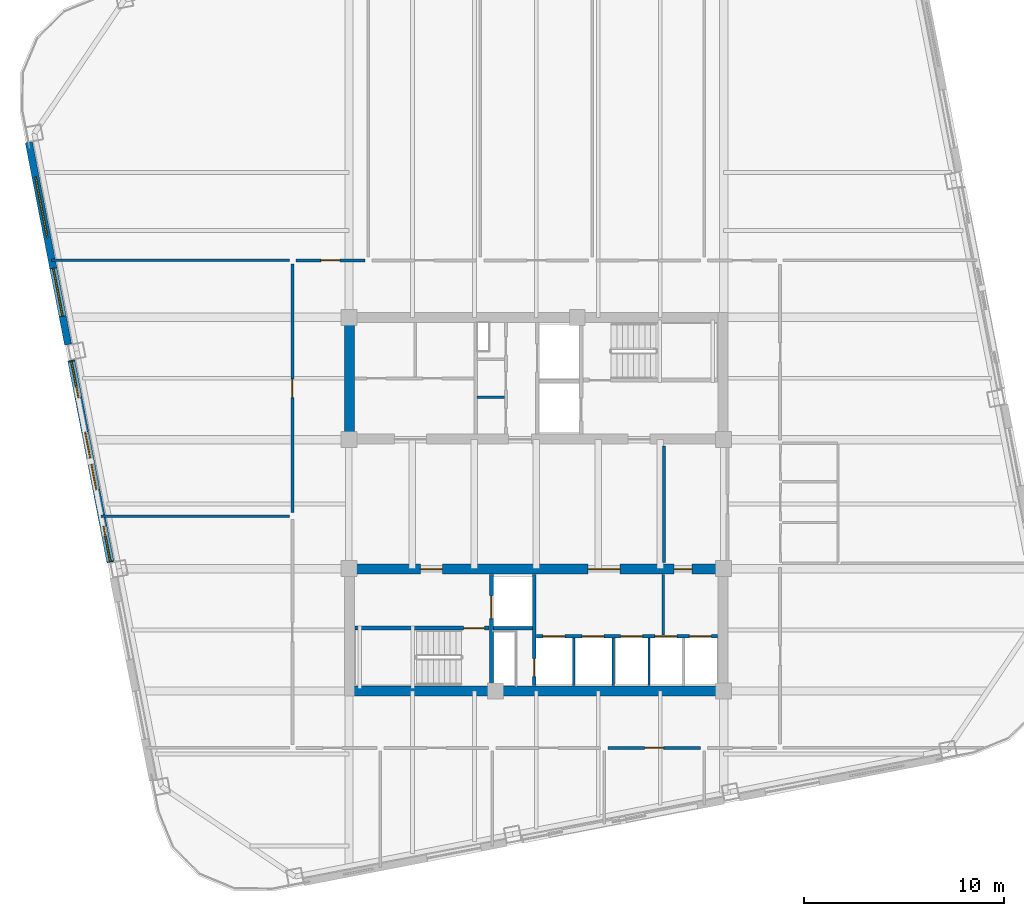
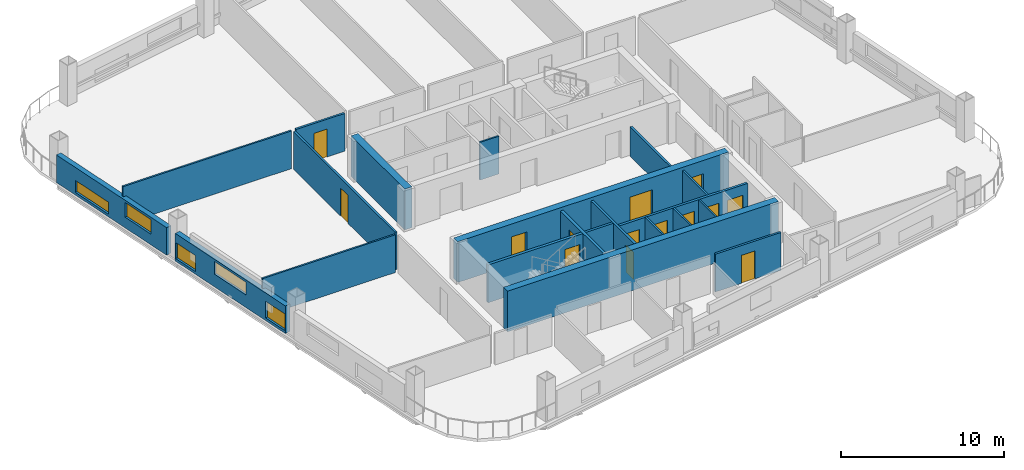
# One storey, part 3 of 9: 21 walls, 14 doors, 5 windows, 19 openings.
"""IFC4 building model written with IfcOpenShell, lengths in metres."""

from ifc_helpers import new_model, si_unit, direction, frame, frame_2d, origin, place, context, subcontext, project, spatial, rectangle, extrude, material, layer, layer_set, type_object, element, fill, save


model = new_model("IFC4")

# Units and contexts
model_context = context("Model", 3, precision=1e-05, world=origin(), true_north=direction((0.0, 1.0)))
body_context = subcontext(model_context, "Body", "Model", "MODEL_VIEW")
ifc_project = project(units=[si_unit("LENGTHUNIT", "METRE"), si_unit("AREAUNIT", "SQUARE_METRE"), si_unit("VOLUMEUNIT", "CUBIC_METRE"), si_unit("PLANEANGLEUNIT", "RADIAN"), si_unit("MASSUNIT", "GRAM", prefix="KILO")], contexts=[model_context])

# Site, building, storey
site_placement = place(None, origin())
site = spatial("IfcSite", under=ifc_project, at=site_placement, CompositionType="ELEMENT")
building_placement = place(site_placement, origin())
building = spatial("IfcBuilding", under=site, at=building_placement, Name="Qhalaya Broadcast Tower", CompositionType="ELEMENT")
storey_placement = place(building_placement, frame((0.0, 0.0, 128.050048828125)))
storey = spatial("IfcBuildingStorey", under=building, at=storey_placement, Name="L37", CompositionType="ELEMENT", Elevation=128.050048828125)

# Wall
ifc_material_1 = material(Name="Gypsum Acoustic Partition")
ifc_layer_1 = layer(ifc_material_1, 0.14990234375, Name="Gypsum Acoustic Partition")
ifc_layer_set_1 = layer_set([ifc_layer_1], Name="Gypsum Acoustic Partition")
wall_type_1 = type_object("IfcWallType", Name="Corridor & Tenancy Acoustic Partition 150", PredefinedType="PARTITIONING", material=ifc_layer_set_1)
wall_1_placement = place(storey_placement, frame((6.3798828125, -2.320068359375, 0.0), z_axis=(0.0, 0.0, 1.0), x_axis=(0.0, 1.0, 0.0)))
element("IfcWall", 1, at=wall_1_placement, inside=storey, type_object=wall_type_1, Name="L37 Partition Wall W-ICHW", PredefinedType="PARTITIONING", context=body_context, shape_type="SweptSolid", body=[
    extrude(rectangle(XDim=5.840087890625, YDim=0.14990234375, at=frame_2d((2.919921875, 0.0))), origin(), (0.0, 0.0, 1.0), 2.197998046875),
])

# Wall, opening, door
wall_2_placement = place(storey_placement, frame((-12.02001953125, 12.800048828125, 0.0), z_axis=(0.0, 0.0, 1.0), x_axis=(1.0, 0.0, 0.0)))
wall_2 = element("IfcWall", 2, at=wall_2_placement, inside=storey, type_object=wall_type_1, Name="L37 Partition Wall W-COR-01", PredefinedType="PARTITIONING", context=body_context, shape_type="SweptSolid", body=[
    extrude(rectangle(XDim=3.43994140625, YDim=0.14990234375, at=frame_2d((1.719970703125, 0.0))), origin(), (0.0, 0.0, 1.0), 2.829833984375),
])
opening_1_placement = place(wall_2_placement, frame((1.2451171875, 0.0, 0.0)))
opening_1 = element("IfcOpeningElement", 3, at=opening_1_placement, cuts=wall_2, Name="Opening D10", PredefinedType="OPENING", context=body_context, shape_type="SweptSolid", body=[
    extrude(rectangle(XDim=0.949951171875, YDim=2.10009765625, at=frame_2d((0.47509765625, 1.050048828125))), frame((0.0, 0.0869140625, 0.0), z_axis=(0.0, -1.0, 0.0), x_axis=(1.0, 0.0, 0.0)), (0.0, 0.0, 1.0), 0.173828125),
])
ifc_material_2 = material(Name="Timber Veneer Acoustic Door", Category="wood")
door_type_1 = type_object("IfcDoorType", Name="Cellular Office & Edit Booth Door D10", OperationType="NOTDEFINED", PredefinedType="DOOR", material=ifc_material_2)
door_1_placement = place(opening_1_placement, origin())
door_1 = element("IfcDoor", 4, at=door_1_placement, inside=storey, type_object=door_type_1, Name="L37 Door D-RM01", OperationType="SINGLE_SWING_LEFT", OverallHeight=2.10009765625, OverallWidth=0.949951171875, PredefinedType="DOOR", context=body_context, shape_type="SweptSolid", body=[
    extrude(rectangle(XDim=0.949951171875, YDim=2.10009765625, at=frame_2d((0.47509765625, 1.050048828125))), frame((0.0, 0.02490234375, 0.0), z_axis=(0.0, -1.0, 0.0), x_axis=(1.0, 0.0, 0.0)), (0.0, 0.0, 1.0), 0.050048828125),
])
fill(opening_1, door_1)

wall_3_placement = place(storey_placement, frame((3.580078125, -11.60009765625, 0.0), z_axis=(0.0, 0.0, 1.0), x_axis=(1.0, 0.0, 0.0)))
wall_3 = element("IfcWall", 5, at=wall_3_placement, inside=storey, type_object=wall_type_1, Name="L37 Partition Wall W-COR-09", PredefinedType="PARTITIONING", context=body_context, shape_type="SweptSolid", body=[
    extrude(rectangle(XDim=4.639892578125, YDim=0.14990234375, at=frame_2d((2.31982421875, 0.0))), origin(), (0.0, 0.0, 1.0), 2.829833984375),
])
opening_2_placement = place(wall_3_placement, frame((1.844970703125, 0.0, 0.0)))
opening_2 = element("IfcOpeningElement", 6, at=opening_2_placement, cuts=wall_3, Name="Opening D10", PredefinedType="OPENING", context=body_context, shape_type="SweptSolid", body=[
    extrude(rectangle(XDim=0.949951171875, YDim=2.10009765625, at=frame_2d((0.47509765625, 1.050048828125))), frame((0.0, 0.0869140625, 0.0), z_axis=(0.0, -1.0, 0.0), x_axis=(1.0, 0.0, 0.0)), (0.0, 0.0, 1.0), 0.173828125),
])
door_2_placement = place(opening_2_placement, origin())
door_2 = element("IfcDoor", 7, at=door_2_placement, inside=storey, type_object=door_type_1, Name="L37 Door D-RM09", OperationType="SINGLE_SWING_LEFT", OverallHeight=2.10009765625, OverallWidth=0.949951171875, PredefinedType="DOOR", context=body_context, shape_type="SweptSolid", body=[
    extrude(rectangle(XDim=0.949951171875, YDim=2.10009765625, at=frame_2d((0.47509765625, 1.050048828125))), frame((0.0, 0.02490234375, 0.0), z_axis=(0.0, -1.0, 0.0), x_axis=(1.0, 0.0, 0.0)), (0.0, 0.0, 1.0), 0.050048828125),
])
fill(opening_2, door_2)

wall_4_placement = place(storey_placement, frame((-12.199951171875, 0.179931640625, 0.0), z_axis=(0.0, 0.0, 1.0), x_axis=(0.0, 1.0, 0.0)))
wall_4 = element("IfcWall", 8, at=wall_4_placement, inside=storey, type_object=wall_type_1, Name="L37 Partition Wall W-COR-12", PredefinedType="PARTITIONING", context=body_context, shape_type="SweptSolid", body=[
    extrude(rectangle(XDim=12.440185546875, YDim=0.14990234375, at=frame_2d((6.22021484375, 0.0))), origin(), (0.0, 0.0, 1.0), 2.829833984375),
])
opening_3_placement = place(wall_4_placement, frame((5.7451171875, 0.0, 0.0)))
opening_3 = element("IfcOpeningElement", 9, at=opening_3_placement, cuts=wall_4, Name="Opening D10", PredefinedType="OPENING", context=body_context, shape_type="SweptSolid", body=[
    extrude(rectangle(XDim=0.949951171875, YDim=2.10009765625, at=frame_2d((0.47509765625, 1.050048828125))), frame((0.0, 0.0869140625, 0.0), z_axis=(0.0, -1.0, 0.0), x_axis=(1.0, 0.0, 0.0)), (0.0, 0.0, 1.0), 0.173828125),
])
door_3_placement = place(opening_3_placement, origin())
door_3 = element("IfcDoor", 10, at=door_3_placement, inside=storey, type_object=door_type_1, Name="L37 Door D-RM12", OperationType="SINGLE_SWING_RIGHT", OverallHeight=2.10009765625, OverallWidth=0.949951171875, PredefinedType="DOOR", context=body_context, shape_type="SweptSolid", body=[
    extrude(rectangle(XDim=0.949951171875, YDim=2.10009765625, at=frame_2d((0.47509765625, 1.050048828125))), frame((0.0, 0.02490234375, 0.0), z_axis=(0.0, -1.0, 0.0), x_axis=(1.0, 0.0, 0.0)), (0.0, 0.0, 1.0), 0.050048828125),
])
fill(opening_3, door_3)

# Wall, openings, windows
ifc_material_3 = material(Name="Precast Concrete C40/50", Category="concrete")
ifc_layer_2 = layer(ifc_material_3, 0.360107421875, Name="Precast Concrete C40/50")
ifc_layer_set_2 = layer_set([ifc_layer_2], Name="Precast Concrete C40/50")
wall_type_2 = type_object("IfcWallType", Name="Insulated Precast Terracotta Exterior Wall 360", PredefinedType="SOLIDWALL", material=ifc_layer_set_2)
wall_5_placement = place(storey_placement, frame((-21.31005859375, -2.30859375, 0.0), z_axis=(0.0, 0.0, 1.0), x_axis=(-0.190811924826, 0.981626614016, 0.0)))
wall_5 = element("IfcWall", 11, at=wall_5_placement, inside=storey, type_object=wall_type_2, Name="L37 Exoskeleton Diagrid Infill Wall W2", PredefinedType="SOLIDWALL", context=body_context, shape_type="SweptSolid", body=[
    extrude(rectangle(XDim=10.2998046875, YDim=0.360107421875, at=frame_2d((5.14990234375, 0.0))), origin(), (0.0, 0.0, 1.0), 2.06689453125),
])
opening_4_placement = place(wall_5_placement, frame((0.0380859375, 0.0, 0.199951171875)))
opening_4 = element("IfcOpeningElement", 12, at=opening_4_placement, cuts=wall_5, Name="Opening W11", PredefinedType="OPENING", context=body_context, shape_type="SweptSolid", body=[
    extrude(rectangle(XDim=1.800048828125, YDim=1.25, at=frame_2d((0.89990234375, 0.625))), frame((0.0, 0.192138671875, 0.0), z_axis=(0.0, -1.0, 0.0), x_axis=(1.0, 0.0, 0.0)), (0.0, 0.0, 1.0), 0.384033203125),
])
opening_5_placement = place(wall_5_placement, frame((3.68798828125, 0.0, 0.949951171875)))
opening_5 = element("IfcOpeningElement", 13, at=opening_5_placement, cuts=wall_5, Name="Opening W11", PredefinedType="OPENING", context=body_context, shape_type="SweptSolid", body=[
    extrude(rectangle(XDim=2.949951171875, YDim=0.949951171875, at=frame_2d((1.47509765625, 0.47509765625))), frame((0.0, 0.192138671875, 0.0), z_axis=(0.0, -1.0, 0.0), x_axis=(1.0, 0.0, 0.0)), (0.0, 0.0, 1.0), 0.384033203125),
])
opening_6_placement = place(wall_5_placement, frame((8.387939453125, 0.0, 0.199951171875)))
opening_6 = element("IfcOpeningElement", 14, at=opening_6_placement, cuts=wall_5, Name="Opening W11", PredefinedType="OPENING", context=body_context, shape_type="SweptSolid", body=[
    extrude(rectangle(XDim=1.85009765625, YDim=1.199951171875, at=frame_2d((0.925048828125, 0.60009765625))), frame((0.0, 0.192138671875, 0.0), z_axis=(0.0, -1.0, 0.0), x_axis=(1.0, 0.0, 0.0)), (0.0, 0.0, 1.0), 0.384033203125),
])
ifc_material_4 = material(Name="Solar-Control Low-E Triple Glazing", Category="glass")
window_type = type_object("IfcWindowType", Name="Odd-Block Diagrid Infill Window W11", PartitioningType="SINGLE_PANEL", PredefinedType="WINDOW", material=ifc_material_4)
window_1_placement = place(opening_4_placement, origin())
window_1 = element("IfcWindow", 15, at=window_1_placement, inside=storey, type_object=window_type, Name="L37 Diagrid Infill Window W11-W3", OverallHeight=1.25, OverallWidth=1.800048828125, PartitioningType="SINGLE_PANEL", PredefinedType="WINDOW", context=body_context, shape_type="SweptSolid", body=[
    extrude(rectangle(XDim=1.800048828125, YDim=1.25, at=frame_2d((0.89990234375, 0.625))), frame((0.0, 0.030029296875, 0.0), z_axis=(0.0, -1.0, 0.0), x_axis=(1.0, 0.0, 0.0)), (0.0, 0.0, 1.0), 0.06005859375),
])
fill(opening_4, window_1)
window_2_placement = place(opening_5_placement, origin())
window_2 = element("IfcWindow", 16, at=window_2_placement, inside=storey, type_object=window_type, Name="L37 Diagrid Infill Window W11-W4", OverallHeight=0.949951171875, OverallWidth=2.949951171875, PartitioningType="SINGLE_PANEL", PredefinedType="WINDOW", context=body_context, shape_type="SweptSolid", body=[
    extrude(rectangle(XDim=2.949951171875, YDim=0.949951171875, at=frame_2d((1.47509765625, 0.47509765625))), frame((0.0, 0.030029296875, 0.0), z_axis=(0.0, -1.0, 0.0), x_axis=(1.0, 0.0, 0.0)), (0.0, 0.0, 1.0), 0.06005859375),
])
fill(opening_5, window_2)
window_3_placement = place(opening_6_placement, origin())
window_3 = element("IfcWindow", 17, at=window_3_placement, inside=storey, type_object=window_type, Name="L37 Diagrid Infill Window W11-W5", OverallHeight=1.199951171875, OverallWidth=1.85009765625, PartitioningType="SINGLE_PANEL", PredefinedType="WINDOW", context=body_context, shape_type="SweptSolid", body=[
    extrude(rectangle(XDim=1.85009765625, YDim=1.199951171875, at=frame_2d((0.925048828125, 0.60009765625))), frame((0.0, 0.030029296875, 0.0), z_axis=(0.0, -1.0, 0.0), x_axis=(1.0, 0.0, 0.0)), (0.0, 0.0, 1.0), 0.06005859375),
])
fill(opening_6, window_3)

wall_6_placement = place(storey_placement, frame((-23.427978515625, 8.58740234375, 0.0), z_axis=(0.0, 0.0, 1.0), x_axis=(-0.190822765986, 0.981624506612, 0.0)))
wall_6 = element("IfcWall", 18, at=wall_6_placement, inside=storey, type_object=wall_type_2, Name="L37 Exoskeleton Diagrid Infill Wall W3", PredefinedType="SOLIDWALL", context=body_context, shape_type="SweptSolid", body=[
    extrude(rectangle(XDim=10.31201171875, YDim=0.360107421875, at=frame_2d((5.156005859375, 0.0))), origin(), (0.0, 0.0, 1.0), 2.06689453125),
])
opening_7_placement = place(wall_6_placement, frame((1.43798828125, 0.0, 0.800048828125)))
opening_7 = element("IfcOpeningElement", 19, at=opening_7_placement, cuts=wall_6, Name="Opening W11", PredefinedType="OPENING", context=body_context, shape_type="SweptSolid", body=[
    extrude(rectangle(XDim=2.449951171875, YDim=1.10009765625, at=frame_2d((1.22509765625, 0.550048828125))), frame((0.0, 0.192138671875, 0.0), z_axis=(0.0, -1.0, 0.0), x_axis=(1.0, 0.0, 0.0)), (0.0, 0.0, 1.0), 0.384033203125),
])
opening_8_placement = place(wall_6_placement, frame((5.43798828125, 0.0, 0.199951171875)))
opening_8 = element("IfcOpeningElement", 20, at=opening_8_placement, cuts=wall_6, Name="Opening W11", PredefinedType="OPENING", context=body_context, shape_type="SweptSolid", body=[
    extrude(rectangle(XDim=3.10009765625, YDim=0.89990234375, at=frame_2d((1.550048828125, 0.449951171875))), frame((0.0, 0.192138671875, 0.0), z_axis=(0.0, -1.0, 0.0), x_axis=(1.0, 0.0, 0.0)), (0.0, 0.0, 1.0), 0.384033203125),
])
window_4_placement = place(opening_7_placement, origin())
window_4 = element("IfcWindow", 21, at=window_4_placement, inside=storey, type_object=window_type, Name="L37 Diagrid Infill Window W11-W6", OverallHeight=1.10009765625, OverallWidth=2.449951171875, PartitioningType="SINGLE_PANEL", PredefinedType="WINDOW", context=body_context, shape_type="SweptSolid", body=[
    extrude(rectangle(XDim=2.449951171875, YDim=1.10009765625, at=frame_2d((1.22509765625, 0.550048828125))), frame((0.0, 0.030029296875, 0.0), z_axis=(0.0, -1.0, 0.0), x_axis=(1.0, 0.0, 0.0)), (0.0, 0.0, 1.0), 0.06005859375),
])
fill(opening_7, window_4)
window_5_placement = place(opening_8_placement, origin())
window_5 = element("IfcWindow", 22, at=window_5_placement, inside=storey, type_object=window_type, Name="L37 Diagrid Infill Window W11-W7", OverallHeight=0.89990234375, OverallWidth=3.10009765625, PartitioningType="SINGLE_PANEL", PredefinedType="WINDOW", context=body_context, shape_type="SweptSolid", body=[
    extrude(rectangle(XDim=3.10009765625, YDim=0.89990234375, at=frame_2d((1.550048828125, 0.449951171875))), frame((0.0, 0.030029296875, 0.0), z_axis=(0.0, -1.0, 0.0), x_axis=(1.0, 0.0, 0.0)), (0.0, 0.0, 1.0), 0.06005859375),
])
fill(opening_8, window_5)

# Wall, opening, door
ifc_material_5 = material(Name="Concrete C50/60", Category="concrete")
ifc_layer_3 = layer(ifc_material_5, 0.199951171875, Name="Concrete C50/60")
ifc_layer_set_3 = layer_set([ifc_layer_3], Name="Concrete C50/60")
wall_type_3 = type_object("IfcWallType", Name="Load-Bearing Stair Shaft Wall 200", PredefinedType="SHEAR", material=ifc_layer_set_3)
wall_7_placement = place(storey_placement, frame((-9.080078125, -5.60498046875, 0.0), z_axis=(0.0, 0.0, 1.0), x_axis=(1.0, 0.0, 0.0)))
wall_7 = element("IfcWall", 23, at=wall_7_placement, inside=storey, type_object=wall_type_3, Name="L37 Stair Core Shear Wall SCW-ST2", PredefinedType="SHEAR", context=body_context, shape_type="SweptSolid", body=[
    extrude(rectangle(XDim=6.719970703125, YDim=0.199951171875, at=frame_2d((3.35986328125, 0.0))), origin(), (0.0, 0.0, 1.0), 2.829833984375),
])
opening_9_placement = place(wall_7_placement, frame((5.449951171875, 0.0, 0.0)))
opening_9 = element("IfcOpeningElement", 24, at=opening_9_placement, cuts=wall_7, Name="Opening D03", PredefinedType="OPENING", context=body_context, shape_type="SweptSolid", body=[
    extrude(rectangle(XDim=1.050048828125, YDim=2.080078125, at=frame_2d((0.52490234375, 1.0400390625))), frame((0.0, 0.112060546875, 0.0), z_axis=(0.0, -1.0, 0.0), x_axis=(1.0, 0.0, 0.0)), (0.0, 0.0, 1.0), 0.223876953125),
])
ifc_material_6 = material(Name="Fire-Rated Steel Door", Category="steel")
door_type_2 = type_object("IfcDoorType", Name="Core Stair Protected Fire Door D03", OperationType="NOTDEFINED", PredefinedType="DOOR", material=ifc_material_6)
door_4_placement = place(opening_9_placement, origin())
door_4 = element("IfcDoor", 25, at=door_4_placement, inside=storey, type_object=door_type_2, Name="L37 Door D-SST2", OperationType="SINGLE_SWING_RIGHT", OverallHeight=2.080078125, OverallWidth=1.050048828125, PredefinedType="DOOR", context=body_context, shape_type="SweptSolid", body=[
    extrude(rectangle(XDim=1.050048828125, YDim=2.080078125, at=frame_2d((0.52490234375, 1.0400390625))), frame((0.0, 0.02490234375, 0.0), z_axis=(0.0, -1.0, 0.0), x_axis=(1.0, 0.0, 0.0)), (0.0, 0.0, 1.0), 0.050048828125),
])
fill(opening_9, door_4)

wall_8_placement = place(storey_placement, frame((-2.25, -8.47998046875, 0.0), z_axis=(0.0, 0.0, 1.0), x_axis=(0.0, 1.0, 0.0)))
wall_8 = element("IfcWall", 26, at=wall_8_placement, inside=storey, type_object=wall_type_3, Name="L37 Stair Core Shear Wall SCW-FF", PredefinedType="SHEAR", context=body_context, shape_type="SweptSolid", body=[
    extrude(rectangle(XDim=5.56005859375, YDim=0.199951171875, at=frame_2d((2.780029296875, 0.0))), origin(), (0.0, 0.0, 1.0), 2.829833984375),
])
opening_10_placement = place(wall_8_placement, frame((3.35009765625, 0.0, 0.0)))
opening_10 = element("IfcOpeningElement", 27, at=opening_10_placement, cuts=wall_8, Name="Opening LD2", PredefinedType="OPENING", context=body_context, shape_type="SweptSolid", body=[
    extrude(rectangle(XDim=1.14990234375, YDim=2.080078125, at=frame_2d((0.574951171875, 1.0400390625))), frame((0.0, 0.112060546875, 0.0), z_axis=(0.0, -1.0, 0.0), x_axis=(1.0, 0.0, 0.0)), (0.0, 0.0, 1.0), 0.223876953125),
])
ifc_material_7 = material(Name="Brushed Stainless Steel Lift Door", Category="steel")
door_type_3 = type_object("IfcDoorType", Name="Firefighting Lift Sliding Landing Door LD2", OperationType="DOUBLE_DOOR_SLIDING", PredefinedType="DOOR", material=ifc_material_7)
door_5_placement = place(opening_10_placement, origin())
door_5 = element("IfcDoor", 28, at=door_5_placement, inside=storey, type_object=door_type_3, Name="L37 Door LD-FF2", OperationType="DOUBLE_DOOR_SLIDING", OverallHeight=2.080078125, OverallWidth=1.14990234375, PredefinedType="DOOR", context=body_context, shape_type="SweptSolid", body=[
    extrude(rectangle(XDim=1.14990234375, YDim=2.080078125, at=frame_2d((0.574951171875, 1.0400390625))), frame((0.0, 0.02490234375, 0.0), z_axis=(0.0, -1.0, 0.0), x_axis=(1.0, 0.0, 0.0)), (0.0, 0.0, 1.0), 0.050048828125),
])
fill(opening_10, door_5)

# Walls
ifc_layer_4 = layer(ifc_material_5, 0.5, Name="Concrete C50/60")
ifc_layer_set_4 = layer_set([ifc_layer_4], Name="Concrete C50/60")
wall_type_4 = type_object("IfcWallType", Name="Mid Split-Core Shear Wall 500", PredefinedType="SHEAR", material=ifc_layer_set_4)
wall_9_placement = place(storey_placement, frame((-9.35009765625, 3.60009765625, 0.0), z_axis=(0.0, 0.0, 1.0), x_axis=(0.0, 1.0, 0.0)))
element("IfcWall", 29, at=wall_9_placement, inside=storey, type_object=wall_type_4, Name="L37 Split-Core Shear Wall CW-NW", PredefinedType="SHEAR", context=body_context, shape_type="SweptSolid", body=[
    extrude(rectangle(XDim=6.599853515625, YDim=0.5, at=frame_2d((3.2998046875, 0.0))), origin(), (0.0, 0.0, 1.0), 3.050048828125),
])
wall_10_placement = place(storey_placement, frame((-9.60009765625, -8.75, 0.0), z_axis=(0.0, 0.0, 1.0), x_axis=(1.0, 0.0, 0.0)))
element("IfcWall", 30, at=wall_10_placement, inside=storey, type_object=wall_type_4, Name="L37 Split-Core Shear Wall CW-SS", PredefinedType="SHEAR", context=body_context, shape_type="SweptSolid", body=[
    extrude(rectangle(XDim=19.2001953125, YDim=0.5, at=frame_2d((9.60009765625, 0.0))), origin(), (0.0, 0.0, 1.0), 3.050048828125),
])

# Wall, openings, doors
wall_11_placement = place(storey_placement, frame((-9.60009765625, -2.64990234375, 0.0), z_axis=(0.0, 0.0, 1.0), x_axis=(1.0, 0.0, 0.0)))
wall_11 = element("IfcWall", 31, at=wall_11_placement, inside=storey, type_object=wall_type_4, Name="L37 Split-Core Shear Wall CW-SN", PredefinedType="SHEAR", context=body_context, shape_type="SweptSolid", body=[
    extrude(rectangle(XDim=19.2001953125, YDim=0.5, at=frame_2d((9.60009765625, 0.0))), origin(), (0.0, 0.0, 1.0), 3.050048828125),
])
opening_11_placement = place(wall_11_placement, frame((3.800048828125, 0.0, 0.0)))
opening_11 = element("IfcOpeningElement", 32, at=opening_11_placement, cuts=wall_11, Name="Opening D04", PredefinedType="OPENING", context=body_context, shape_type="SweptSolid", body=[
    extrude(rectangle(XDim=1.10009765625, YDim=2.080078125, at=frame_2d((0.550048828125, 1.0400390625))), frame((0.0, 0.261962890625, 0.0), z_axis=(0.0, -1.0, 0.0), x_axis=(1.0, 0.0, 0.0)), (0.0, 0.0, 1.0), 0.52392578125),
])
opening_12_placement = place(wall_11_placement, frame((12.199951171875, 0.0, 0.0)))
opening_12 = element("IfcOpeningElement", 33, at=opening_12_placement, cuts=wall_11, Name="Opening D07", PredefinedType="OPENING", context=body_context, shape_type="SweptSolid", body=[
    extrude(rectangle(XDim=1.60009765625, YDim=2.1201171875, at=frame_2d((0.800048828125, 1.06005859375))), frame((0.0, 0.261962890625, 0.0), z_axis=(0.0, -1.0, 0.0), x_axis=(1.0, 0.0, 0.0)), (0.0, 0.0, 1.0), 0.52392578125),
])
opening_13_placement = place(wall_11_placement, frame((16.5, 0.0, 0.0)))
opening_13 = element("IfcOpeningElement", 34, at=opening_13_placement, cuts=wall_11, Name="Opening D06", PredefinedType="OPENING", context=body_context, shape_type="SweptSolid", body=[
    extrude(rectangle(XDim=0.89990234375, YDim=2.050048828125, at=frame_2d((0.449951171875, 1.02490234375))), frame((0.0, 0.261962890625, 0.0), z_axis=(0.0, -1.0, 0.0), x_axis=(1.0, 0.0, 0.0)), (0.0, 0.0, 1.0), 0.52392578125),
])
door_type_4 = type_object("IfcDoorType", Name="Firefighting Lobby Rated Door D04", OperationType="NOTDEFINED", PredefinedType="DOOR", material=ifc_material_6)
door_6_placement = place(opening_11_placement, origin())
door_6 = element("IfcDoor", 35, at=door_6_placement, inside=storey, type_object=door_type_4, Name="L37 Door D-SFF", OperationType="SINGLE_SWING_LEFT", OverallHeight=2.080078125, OverallWidth=1.10009765625, PredefinedType="DOOR", context=body_context, shape_type="SweptSolid", body=[
    extrude(rectangle(XDim=1.10009765625, YDim=2.080078125, at=frame_2d((0.550048828125, 1.0400390625))), frame((0.0, 0.02490234375, 0.0), z_axis=(0.0, -1.0, 0.0), x_axis=(1.0, 0.0, 0.0)), (0.0, 0.0, 1.0), 0.050048828125),
])
fill(opening_11, door_6)
ifc_material_8 = material(Name="Anodised Aluminium Glazed Door", Category="aluminium")
door_type_5 = type_object("IfcDoorType", Name="Passenger Lift Lobby Double Glazed Door D07", OperationType="DOUBLE_DOOR_SINGLE_SWING", PredefinedType="DOOR", material=ifc_material_8)
door_7_placement = place(opening_12_placement, origin())
door_7 = element("IfcDoor", 36, at=door_7_placement, inside=storey, type_object=door_type_5, Name="L37 Door D-SPLL", OperationType="DOUBLE_DOOR_SINGLE_SWING", OverallHeight=2.1201171875, OverallWidth=1.60009765625, PredefinedType="DOOR", context=body_context, shape_type="SweptSolid", body=[
    extrude(rectangle(XDim=1.60009765625, YDim=2.1201171875, at=frame_2d((0.800048828125, 1.06005859375))), frame((0.0, 0.02490234375, 0.0), z_axis=(0.0, -1.0, 0.0), x_axis=(1.0, 0.0, 0.0)), (0.0, 0.0, 1.0), 0.050048828125),
])
fill(opening_12, door_7)
door_type_6 = type_object("IfcDoorType", Name="Riser & Electrical Shaft Access Door D06", OperationType="NOTDEFINED", PredefinedType="DOOR", material=ifc_material_6)
door_8_placement = place(opening_13_placement, origin())
door_8 = element("IfcDoor", 37, at=door_8_placement, inside=storey, type_object=door_type_6, Name="L37 Door D-SSCST", OperationType="SINGLE_SWING_LEFT", OverallHeight=2.050048828125, OverallWidth=0.89990234375, PredefinedType="DOOR", context=body_context, shape_type="SweptSolid", body=[
    extrude(rectangle(XDim=0.89990234375, YDim=2.050048828125, at=frame_2d((0.449951171875, 1.02490234375))), frame((0.0, 0.02490234375, 0.0), z_axis=(0.0, -1.0, 0.0), x_axis=(1.0, 0.0, 0.0)), (0.0, 0.0, 1.0), 0.050048828125),
])
fill(opening_13, door_8)

# Walls
ifc_layer_5 = layer(ifc_material_1, 0.1201171875, Name="Gypsum Acoustic Partition")
ifc_layer_set_5 = layer_set([ifc_layer_5], Name="Gypsum Acoustic Partition")
wall_type_5 = type_object("IfcWallType", Name="Office, Booth & Sanitary Partition 120", PredefinedType="PARTITIONING", material=ifc_layer_set_5)
wall_12_placement = place(storey_placement, frame((-2.9599609375, 5.949951171875, 0.0), z_axis=(0.0, 0.0, 1.0), x_axis=(1.0, 0.0, 0.0)))
element("IfcWall", 38, at=wall_12_placement, inside=storey, type_object=wall_type_5, Name="L37 Partition Wall NCW-VB1", PredefinedType="PARTITIONING", context=body_context, shape_type="SweptSolid", body=[
    extrude(rectangle(XDim=1.35986328125, YDim=0.1201171875, at=frame_2d((0.679931640625, 0.0))), origin(), (0.0, 0.0, 1.0), 2.829833984375),
])
for number, where, z_axis, x_axis, name in (
    (39, (1.8798828125, -8.47998046875, 0.0), (0.0, 0.0, 1.0), (0.0, 1.0, 0.0), "L37 Partition Wall SCW-MD4"),
    (40, (3.85009765625, -8.47998046875, 0.0), (0.0, 0.0, 1.0), (0.0, 1.0, 0.0), "L37 Partition Wall SCW-MD5"),
    (41, (5.639892578125, -8.47998046875, 0.0), (0.0, 0.0, 1.0), (0.0, 1.0, 0.0), "L37 Partition Wall SCW-HD6"),
):
    element("IfcWall", number, at=place(storey_placement, frame(where, z_axis=z_axis, x_axis=x_axis)), inside=storey, type_object=wall_type_5, Name=name, PredefinedType="PARTITIONING", context=body_context, shape_type="SweptSolid", body=[
        extrude(rectangle(XDim=2.3798828125, YDim=0.1201171875, at=frame_2d((1.18994140625, 0.0))), origin(), (0.0, 0.0, 1.0), 2.829833984375),
    ])
wall_13_placement = place(storey_placement, frame((6.35009765625, -5.93994140625, 0.0), z_axis=(0.0, 0.0, 1.0), x_axis=(0.0, 1.0, 0.0)))
element("IfcWall", 42, at=wall_13_placement, inside=storey, type_object=wall_type_5, Name="L37 Partition Wall SCW-LKB", PredefinedType="PARTITIONING", context=body_context, shape_type="SweptSolid", body=[
    extrude(rectangle(XDim=3.02001953125, YDim=0.1201171875, at=frame_2d((1.510009765625, 0.0))), origin(), (0.0, 0.0, 1.0), 2.829833984375),
])
wall_14_placement = place(storey_placement, frame((-24.267333984375, 12.800048828125, 0.0), z_axis=(0.0, 0.0, 1.0), x_axis=(1.0, 0.0, 0.0)))
element("IfcWall", 43, at=wall_14_placement, inside=storey, type_object=wall_type_5, Name="L37 Partition Wall W-BNDW1", PredefinedType="PARTITIONING", context=body_context, shape_type="SweptSolid", body=[
    extrude(rectangle(XDim=11.92724609375, YDim=0.1201171875, at=frame_2d((5.963623046875, 0.0))), origin(), (0.0, 0.0, 1.0), 2.829833984375),
])
wall_15_placement = place(storey_placement, frame((-21.779296875, 0.0, 0.0), z_axis=(0.0, 0.0, 1.0), x_axis=(1.0, 0.0, 0.0)))
element("IfcWall", 44, at=wall_15_placement, inside=storey, type_object=wall_type_5, Name="L37 Partition Wall W-DIVW1", PredefinedType="PARTITIONING", context=body_context, shape_type="SweptSolid", body=[
    extrude(rectangle(XDim=9.419189453125, YDim=0.1201171875, at=frame_2d((4.70947265625, 0.0))), origin(), (0.0, 0.0, 1.0), 2.829833984375),
])

# Wall, opening, door
ifc_layer_6 = layer(ifc_material_1, 0.175048828125, Name="Gypsum Acoustic Partition")
ifc_layer_set_6 = layer_set([ifc_layer_6], Name="Gypsum Acoustic Partition")
wall_type_6 = type_object("IfcWallType", Name="Shaft & Riser Fire Partition 175", PredefinedType="PARTITIONING", material=ifc_layer_set_6)
wall_16_placement = place(storey_placement, frame((-0.10009765625, -8.47998046875, 0.0), z_axis=(0.0, 0.0, 1.0), x_axis=(0.0, 1.0, 0.0)))
wall_16 = element("IfcWall", 45, at=wall_16_placement, inside=storey, type_object=wall_type_6, Name="L37 Partition Wall SCW-FFE", PredefinedType="PARTITIONING", context=body_context, shape_type="SweptSolid", body=[
    extrude(rectangle(XDim=5.56005859375, YDim=0.175048828125, at=frame_2d((2.780029296875, 0.0))), origin(), (0.0, 0.0, 1.0), 2.829833984375),
])
opening_14_placement = place(wall_16_placement, frame((0.449951171875, 0.0, 0.0)))
opening_14 = element("IfcOpeningElement", 46, at=opening_14_placement, cuts=wall_16, Name="Opening D06", PredefinedType="OPENING", context=body_context, shape_type="SweptSolid", body=[
    extrude(rectangle(XDim=0.89990234375, YDim=2.050048828125, at=frame_2d((0.449951171875, 1.02490234375))), frame((0.0, 0.099609375, 0.0), z_axis=(0.0, -1.0, 0.0), x_axis=(1.0, 0.0, 0.0)), (0.0, 0.0, 1.0), 0.198974609375),
])
door_9_placement = place(opening_14_placement, origin())
door_9 = element("IfcDoor", 47, at=door_9_placement, inside=storey, type_object=door_type_6, Name="L37 Riser Shaft Access Door D-SRSR", OperationType="SINGLE_SWING_LEFT", OverallHeight=2.050048828125, OverallWidth=0.89990234375, PredefinedType="DOOR", context=body_context, shape_type="SweptSolid", body=[
    extrude(rectangle(XDim=0.89990234375, YDim=2.050048828125, at=frame_2d((0.449951171875, 1.02490234375))), frame((0.0, 0.02490234375, 0.0), z_axis=(0.0, -1.0, 0.0), x_axis=(1.0, 0.0, 0.0)), (0.0, 0.0, 1.0), 0.050048828125),
])
fill(opening_14, door_9)

# Wall
wall_17_placement = place(storey_placement, frame((-2.14990234375, -5.60009765625, 0.0), z_axis=(0.0, 0.0, 1.0), x_axis=(1.0, 0.0, 0.0)))
element("IfcWall", 48, at=wall_17_placement, inside=storey, type_object=wall_type_6, Name="L37 Partition Wall SCW-FFM", PredefinedType="PARTITIONING", context=body_context, shape_type="SweptSolid", body=[
    extrude(rectangle(XDim=1.969970703125, YDim=0.175048828125, at=frame_2d((0.98486328125, 0.0))), origin(), (0.0, 0.0, 1.0), 2.829833984375),
])

# Wall, openings, doors
wall_18_placement = place(storey_placement, frame((0.0, -6.02001953125, 0.0), z_axis=(0.0, 0.0, 1.0), x_axis=(1.0, 0.0, 0.0)))
wall_18 = element("IfcWall", 49, at=wall_18_placement, inside=storey, type_object=wall_type_6, Name="L37 Partition Wall SCW-SLB", PredefinedType="PARTITIONING", context=body_context, shape_type="SweptSolid", body=[
    extrude(rectangle(XDim=9.080078125, YDim=0.175048828125, at=frame_2d((4.5400390625, 0.0))), origin(), (0.0, 0.0, 1.0), 2.829833984375),
])
opening_15_placement = place(wall_18_placement, frame((0.330078125, 0.0, 0.0)))
opening_15 = element("IfcOpeningElement", 50, at=opening_15_placement, cuts=wall_18, Name="Opening LD1", PredefinedType="OPENING", context=body_context, shape_type="SweptSolid", body=[
    extrude(rectangle(XDim=1.10009765625, YDim=2.06005859375, at=frame_2d((0.550048828125, 1.030029296875))), frame((0.0, 0.099609375, 0.0), z_axis=(0.0, -1.0, 0.0), x_axis=(1.0, 0.0, 0.0)), (0.0, 0.0, 1.0), 0.198974609375),
])
opening_16_placement = place(wall_18_placement, frame((2.300048828125, 0.0, 0.0)))
opening_16 = element("IfcOpeningElement", 51, at=opening_16_placement, cuts=wall_18, Name="Opening LD1", PredefinedType="OPENING", context=body_context, shape_type="SweptSolid", body=[
    extrude(rectangle(XDim=1.10009765625, YDim=2.06005859375, at=frame_2d((0.550048828125, 1.030029296875))), frame((0.0, 0.099609375, 0.0), z_axis=(0.0, -1.0, 0.0), x_axis=(1.0, 0.0, 0.0)), (0.0, 0.0, 1.0), 0.198974609375),
])
opening_17_placement = place(wall_18_placement, frame((4.219970703125, 0.0, 0.0)))
opening_17 = element("IfcOpeningElement", 52, at=opening_17_placement, cuts=wall_18, Name="Opening LD1", PredefinedType="OPENING", context=body_context, shape_type="SweptSolid", body=[
    extrude(rectangle(XDim=1.10009765625, YDim=2.06005859375, at=frame_2d((0.550048828125, 1.030029296875))), frame((0.0, 0.099609375, 0.0), z_axis=(0.0, -1.0, 0.0), x_axis=(1.0, 0.0, 0.0)), (0.0, 0.0, 1.0), 0.198974609375),
])
opening_18_placement = place(wall_18_placement, frame((5.93994140625, 0.0, 0.0)))
opening_18 = element("IfcOpeningElement", 53, at=opening_18_placement, cuts=wall_18, Name="Opening LD1", PredefinedType="OPENING", context=body_context, shape_type="SweptSolid", body=[
    extrude(rectangle(XDim=1.10009765625, YDim=2.06005859375, at=frame_2d((0.550048828125, 1.030029296875))), frame((0.0, 0.099609375, 0.0), z_axis=(0.0, -1.0, 0.0), x_axis=(1.0, 0.0, 0.0)), (0.0, 0.0, 1.0), 0.198974609375),
])
opening_19_placement = place(wall_18_placement, frame((7.659912109375, 0.0, 0.0)))
opening_19 = element("IfcOpeningElement", 54, at=opening_19_placement, cuts=wall_18, Name="Opening LD1", PredefinedType="OPENING", context=body_context, shape_type="SweptSolid", body=[
    extrude(rectangle(XDim=1.10009765625, YDim=2.06005859375, at=frame_2d((0.550048828125, 1.030029296875))), frame((0.0, 0.099609375, 0.0), z_axis=(0.0, -1.0, 0.0), x_axis=(1.0, 0.0, 0.0)), (0.0, 0.0, 1.0), 0.198974609375),
])
door_type_7 = type_object("IfcDoorType", Name="Passenger Lift Sliding Landing Door LD1", OperationType="DOUBLE_DOOR_SLIDING", PredefinedType="DOOR", material=ifc_material_7)
door_10_placement = place(opening_15_placement, origin())
door_10 = element("IfcDoor", 55, at=door_10_placement, inside=storey, type_object=door_type_7, Name="L37 Door LD-P4", OperationType="DOUBLE_DOOR_SLIDING", OverallHeight=2.06005859375, OverallWidth=1.10009765625, PredefinedType="DOOR", context=body_context, shape_type="SweptSolid", body=[
    extrude(rectangle(XDim=1.10009765625, YDim=2.06005859375, at=frame_2d((0.550048828125, 1.030029296875))), frame((0.0, 0.02490234375, 0.0), z_axis=(0.0, -1.0, 0.0), x_axis=(1.0, 0.0, 0.0)), (0.0, 0.0, 1.0), 0.050048828125),
])
fill(opening_15, door_10)
door_11_placement = place(opening_16_placement, origin())
door_11 = element("IfcDoor", 56, at=door_11_placement, inside=storey, type_object=door_type_7, Name="L37 Door LD-P5", OperationType="DOUBLE_DOOR_SLIDING", OverallHeight=2.06005859375, OverallWidth=1.10009765625, PredefinedType="DOOR", context=body_context, shape_type="SweptSolid", body=[
    extrude(rectangle(XDim=1.10009765625, YDim=2.06005859375, at=frame_2d((0.550048828125, 1.030029296875))), frame((0.0, 0.02490234375, 0.0), z_axis=(0.0, -1.0, 0.0), x_axis=(1.0, 0.0, 0.0)), (0.0, 0.0, 1.0), 0.050048828125),
])
fill(opening_16, door_11)
door_12_placement = place(opening_17_placement, origin())
door_12 = element("IfcDoor", 57, at=door_12_placement, inside=storey, type_object=door_type_7, Name="L37 Door LD-P6", OperationType="DOUBLE_DOOR_SLIDING", OverallHeight=2.06005859375, OverallWidth=1.10009765625, PredefinedType="DOOR", context=body_context, shape_type="SweptSolid", body=[
    extrude(rectangle(XDim=1.10009765625, YDim=2.06005859375, at=frame_2d((0.550048828125, 1.030029296875))), frame((0.0, 0.02490234375, 0.0), z_axis=(0.0, -1.0, 0.0), x_axis=(1.0, 0.0, 0.0)), (0.0, 0.0, 1.0), 0.050048828125),
])
fill(opening_17, door_12)
door_13_placement = place(opening_18_placement, origin())
door_13 = element("IfcDoor", 58, at=door_13_placement, inside=storey, type_object=door_type_7, Name="L37 Door LD-P7", OperationType="DOUBLE_DOOR_SLIDING", OverallHeight=2.06005859375, OverallWidth=1.10009765625, PredefinedType="DOOR", context=body_context, shape_type="SweptSolid", body=[
    extrude(rectangle(XDim=1.10009765625, YDim=2.06005859375, at=frame_2d((0.550048828125, 1.030029296875))), frame((0.0, 0.02490234375, 0.0), z_axis=(0.0, -1.0, 0.0), x_axis=(1.0, 0.0, 0.0)), (0.0, 0.0, 1.0), 0.050048828125),
])
fill(opening_18, door_13)
door_14_placement = place(opening_19_placement, origin())
door_14 = element("IfcDoor", 59, at=door_14_placement, inside=storey, type_object=door_type_7, Name="L37 Door LD-P8", OperationType="DOUBLE_DOOR_SLIDING", OverallHeight=2.06005859375, OverallWidth=1.10009765625, PredefinedType="DOOR", context=body_context, shape_type="SweptSolid", body=[
    extrude(rectangle(XDim=1.10009765625, YDim=2.06005859375, at=frame_2d((0.550048828125, 1.030029296875))), frame((0.0, 0.02490234375, 0.0), z_axis=(0.0, -1.0, 0.0), x_axis=(1.0, 0.0, 0.0)), (0.0, 0.0, 1.0), 0.050048828125),
])
fill(opening_19, door_14)

save(model, "model.ifc")
